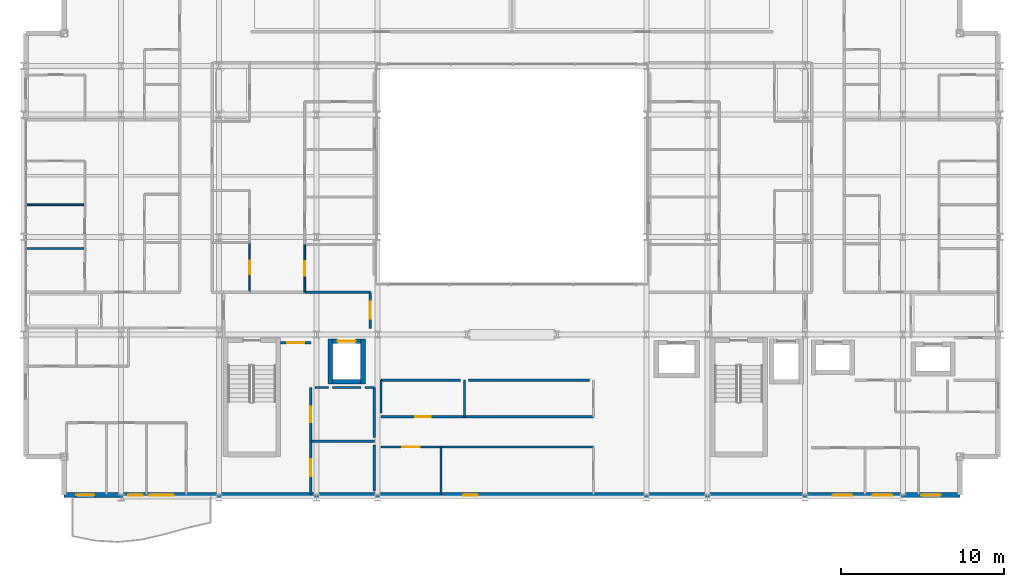
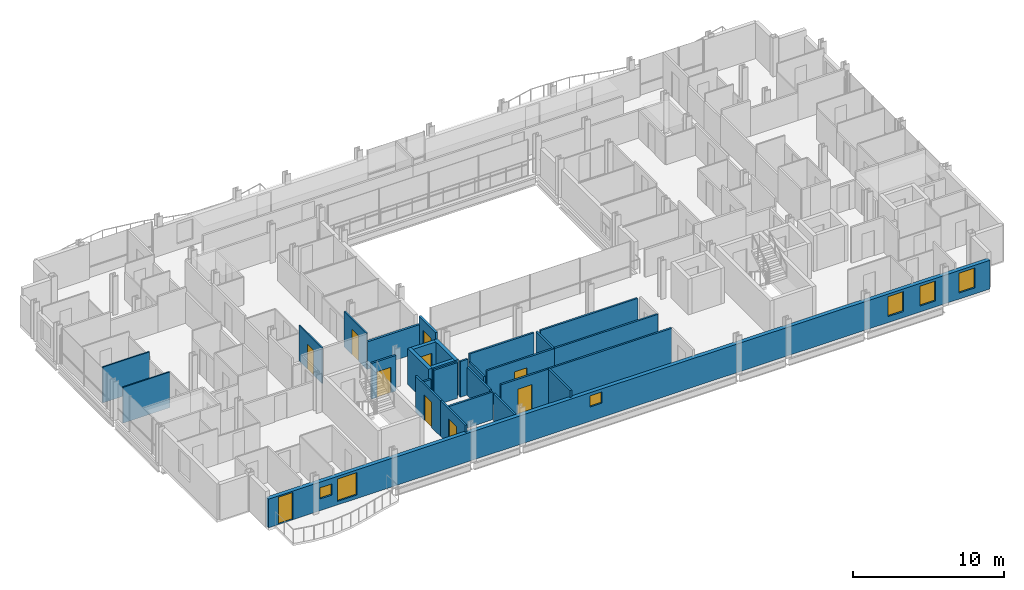
# One storey, part 32 of 41: 29 walls, 10 doors, 6 windows, 16 openings.
"""IFC4 building model written with IfcOpenShell, lengths in metres."""

import ifcopenshell
import ifcopenshell.guid

model = None  # the IFC model being written
_history = None  # IfcOwnerHistory: only IFC2X3 demands one
_inside = {}  # id of a spatial element -> (the spatial element, [elements in it])
_under = {}  # id of a project, library or spatial element -> (it, [spatial elements below it])
_declared = {}  # id of a project -> (the project, [libraries it declares])
_typed = {}  # id of a type object -> (the type object, [elements of that type])
_made_of = {}  # id of a material, layer set ... -> (it, [elements and type objects made of it])


def new_model(schema):
    """Start an empty IFC model of exactly this schema.

    Asked for "IFC4X3", IfcOpenShell would pick the latest addendum, in which some entities
    have other attributes; the version numbers below select the first issue.
    IFC2X3 requires an IfcOwnerHistory on every rooted entity: one is made here for all.
    """
    global model, _history
    if schema == "IFC4X3":
        model = ifcopenshell.file(schema_version=(4, 3, 0, 0))
    else:
        model = ifcopenshell.file(schema=schema)
    _inside.clear()
    _under.clear()
    _declared.clear()
    _typed.clear()
    _made_of.clear()
    _history = None
    if model.schema == "IFC2X3":
        org = make("IfcOrganization", Name="unknown")
        user = make(
            "IfcPersonAndOrganization",
            ThePerson=make("IfcPerson", FamilyName="unknown"),
            TheOrganization=org,
        )
        app = make(
            "IfcApplication",
            ApplicationDeveloper=org,
            Version="unknown",
            ApplicationFullName="unknown",
            ApplicationIdentifier="unknown",
        )
        _history = make(
            "IfcOwnerHistory",
            OwningUser=user,
            OwningApplication=app,
            ChangeAction="ADDED",
            CreationDate=0,
        )
    return model


def make(cls, **values):
    """One entity of the class cls with the attributes given. An attribute that is None is left unset."""
    return model.create_entity(
        cls, **{name: value for name, value in values.items() if value is not None}
    )


def rooted(cls, **values):
    """An entity with a GlobalId (a new one), such as an element, a storey or a relation."""
    return make(cls, GlobalId=ifcopenshell.guid.new(), OwnerHistory=_history, **values)


def si_unit(unit_type, name, prefix=None):
    """IfcSIUnit, for example si_unit("LENGTHUNIT", "METRE", prefix="MILLI")."""
    return make("IfcSIUnit", UnitType=unit_type, Prefix=prefix, Name=name)


def assignment(units):
    """IfcUnitAssignment: the units of a project."""
    return None if units is None else make("IfcUnitAssignment", Units=units)


def point(xyz):
    """IfcCartesianPoint."""
    return None if xyz is None else make("IfcCartesianPoint", Coordinates=xyz)


def direction(xyz):
    """IfcDirection."""
    return None if xyz is None else make("IfcDirection", DirectionRatios=xyz)


def frame(location, z_axis=None, x_axis=None):
    """IfcAxis2Placement3D, a coordinate frame: its origin and axes. An axis left out is left unset."""
    return make(
        "IfcAxis2Placement3D",
        Location=point(location),
        Axis=direction(z_axis),
        RefDirection=direction(x_axis),
    )


def frame_2d(location, x_axis=None):
    """IfcAxis2Placement2D, a coordinate frame in the plane: its origin and x axis."""
    return make(
        "IfcAxis2Placement2D", Location=point(location), RefDirection=direction(x_axis)
    )


def origin():
    """The frame at (0, 0, 0) with its axes left unset."""
    return frame((0.0, 0.0, 0.0))


def place(relative_to, where):
    """IfcLocalPlacement: puts the frame where relative to a parent placement (None: the world)."""
    return make(
        "IfcLocalPlacement", PlacementRelTo=relative_to, RelativePlacement=where
    )


def context(
    kind, dimensions, precision=None, world=None, true_north=None, identifier=None
):
    """IfcGeometricRepresentationContext, for example the 3D "Model" context."""
    return make(
        "IfcGeometricRepresentationContext",
        ContextIdentifier=identifier,
        ContextType=kind,
        CoordinateSpaceDimension=dimensions,
        Precision=precision,
        WorldCoordinateSystem=world,
        TrueNorth=true_north,
    )


def subcontext(parent, identifier, kind, view, scale=None):
    """IfcGeometricRepresentationSubContext, for example "Body" below "Model"."""
    return make(
        "IfcGeometricRepresentationSubContext",
        ContextIdentifier=identifier,
        ContextType=kind,
        ParentContext=parent,
        TargetScale=scale,
        TargetView=view,
    )


def project(units=None, contexts=None):
    """IfcProject with its units and contexts."""
    return rooted(
        "IfcProject",
        Name="project",
        RepresentationContexts=contexts,
        UnitsInContext=assignment(units),
    )


def spatial(cls, under=None, at=None, **own):
    """A site, building, storey or space (cls), placed at a placement, below another one or the project."""
    s = rooted(cls, ObjectPlacement=at, **own)
    if under is not None:
        _under.setdefault(under.id(), (under, []))[1].append(s)
    return s


def profile(cls, at=None, kind="AREA", **sizes):
    """A parametric profile (cls). Its sizes go by their IFC names, for example OverallWidth=200.0."""
    return make(cls, ProfileType=kind, Position=at, **sizes)


def rectangle(**sizes):
    """IfcRectangleProfileDef."""
    return profile("IfcRectangleProfileDef", **sizes)


def extrude(swept, where, along, depth):
    """IfcExtrudedAreaSolid: the profile swept, set in the frame where, extruded along a direction by depth."""
    return make(
        "IfcExtrudedAreaSolid",
        SweptArea=swept,
        Position=where,
        ExtrudedDirection=direction(along),
        Depth=depth,
    )


def shape(context_of_items, identifier, shape_type, items):
    """IfcShapeRepresentation: the items that make up one representation, for example the "Body"."""
    return make(
        "IfcShapeRepresentation",
        ContextOfItems=context_of_items,
        RepresentationIdentifier=identifier,
        RepresentationType=shape_type,
        Items=items,
    )


def material(Name=None, Category=None):
    """IfcMaterial."""
    return make("IfcMaterial", Name=Name, Category=Category)


def layer(
    of_material, thickness, ventilated=None, Name=None, Category=None, Priority=None
):
    """IfcMaterialLayer: one layer of a wall or slab, of a material (None: an air gap)."""
    return make(
        "IfcMaterialLayer",
        Material=of_material,
        LayerThickness=thickness,
        IsVentilated=ventilated,
        Name=Name,
        Category=Category,
        Priority=Priority,
    )


def layer_set(layers, Name=None):
    """IfcMaterialLayerSet."""
    return make("IfcMaterialLayerSet", MaterialLayers=layers, LayerSetName=Name)


def made_of(thing, what):
    """Note that an element or type object is made of a material, layer set ...; save() writes the relation."""
    if what is not None:
        _made_of.setdefault(what.id(), (what, []))[1].append(thing)
    return thing


def type_object(cls, material=None, **own):
    """A type object (cls), such as IfcWallType, which elements share."""
    return made_of(rooted(cls, **own), material)


def element(
    cls,
    number,
    at=None,
    inside=None,
    cuts=None,
    type_object=None,
    material=None,
    context=None,
    identifier="Body",
    shape_type=None,
    held_by="IfcProductDefinitionShape",
    body=None,
    shapes=None,
    **own,
):
    """One element of the class cls, such as IfcWall. Its Tag is "e" and its number.

    at: its placement. inside: the storey or other place that contains it. cuts: it is an
    opening in that element (IfcRelVoidsElement). A single representation is given by context,
    identifier, shape_type and body (its items); several are given by shapes. held_by: the class
    of the entity that holds the representations. save() writes the other relations.
    """
    e = rooted(cls, Tag="e%d" % number, ObjectPlacement=at, **own)
    if body is not None:
        shapes = [shape(context, identifier, shape_type, body)]
    if shapes is not None:
        e.Representation = make(held_by, Representations=shapes)
    if inside is not None:
        _inside.setdefault(inside.id(), (inside, []))[1].append(e)
    if cuts is not None:
        rooted(
            "IfcRelVoidsElement", RelatingBuildingElement=cuts, RelatedOpeningElement=e
        )
    if type_object is not None:
        _typed.setdefault(type_object.id(), (type_object, []))[1].append(e)
    return made_of(e, material)


def fill(opening, filler):
    """IfcRelFillsElement: the door or window that sits in an opening."""
    return rooted(
        "IfcRelFillsElement",
        RelatingOpeningElement=opening,
        RelatedBuildingElement=filler,
    )


def aggregate(whole, parts):
    """IfcRelAggregates: a whole, such as a stair, and the parts it consists of."""
    return rooted("IfcRelAggregates", RelatingObject=whole, RelatedObjects=parts)


def save(model, path):
    """Write the relations noted so far, then the file.

    IfcRelAggregates (storeys below a building ...), IfcRelContainedInSpatialStructure (elements
    in a storey), IfcRelDefinesByType, IfcRelAssociatesMaterial and IfcRelDeclares: one each for
    every whole, place, type object, material and project.
    """
    for whole, parts in _under.values():
        aggregate(whole, parts)
    for where, things in _inside.values():
        rooted(
            "IfcRelContainedInSpatialStructure",
            RelatedElements=things,
            RelatingStructure=where,
        )
    for kind, things in _typed.values():
        rooted("IfcRelDefinesByType", RelatedObjects=things, RelatingType=kind)
    for what, things in _made_of.values():
        rooted("IfcRelAssociatesMaterial", RelatedObjects=things, RelatingMaterial=what)
    for by, libraries in _declared.values():
        rooted("IfcRelDeclares", RelatingContext=by, RelatedDefinitions=libraries)
    model.write(path)


model = new_model("IFC4")

# Units and contexts
model_context = context("Model", 3, precision=1e-05, world=origin(), true_north=direction((0.0, 1.0)))
body_context = subcontext(model_context, "Body", "Model", "MODEL_VIEW")
ifc_project = project(units=[si_unit("LENGTHUNIT", "METRE"), si_unit("AREAUNIT", "SQUARE_METRE"), si_unit("VOLUMEUNIT", "CUBIC_METRE"), si_unit("PLANEANGLEUNIT", "RADIAN"), si_unit("MASSUNIT", "GRAM", prefix="KILO")], contexts=[model_context])

# Site, building, storey
site_placement = place(None, origin())
site = spatial("IfcSite", under=ifc_project, at=site_placement, CompositionType="ELEMENT")
building_placement = place(site_placement, origin())
building = spatial("IfcBuilding", under=site, at=building_placement, Name="Brevholm Reach", CompositionType="ELEMENT")
storey_placement = place(building_placement, frame((0.0, 0.0, 68.300048828125)))
storey = spatial("IfcBuildingStorey", under=building, at=storey_placement, Name="L19", CompositionType="ELEMENT", Elevation=68.300048828125)

# Walls
ifc_material_1 = material(Name="Concrete C50/60", Category="concrete")
ifc_layer_1 = layer(ifc_material_1, 0.280029296875)
ifc_layer_set_1 = layer_set([ifc_layer_1], Name="Concrete C50/60")
wall_type_1 = type_object("IfcWallType", Name="WAL-COR-280", PredefinedType="SHEAR", material=ifc_layer_set_1)
for number, where, z_axis, x_axis, name in (
    (1, (18.85009765625, 6.9599609375, 0.0), (0.0, 0.0, 1.0), (0.0, 1.0, 0.0), "L19 Lift FFL-1 Shaft Wall W"),
    (2, (20.85009765625, 6.9599609375, 0.0), (0.0, 0.0, 1.0), (0.0, 1.0, 0.0), "L19 Lift FFL-1 Shaft Wall E"),
):
    element("IfcWall", number, at=place(storey_placement, frame(where, z_axis=z_axis, x_axis=x_axis)), inside=storey, type_object=wall_type_1, Name=name, PredefinedType="SHEAR", context=body_context, shape_type="SweptSolid", body=[
        extrude(rectangle(XDim=2.780029296875, YDim=0.280029296875, at=frame_2d((1.39013671875, 0.0))), origin(), (0.0, 0.0, 1.0), 2.869873046875),
    ])
wall_1_placement = place(storey_placement, frame((18.989990234375, 7.10009765625, 0.0), z_axis=(0.0, 0.0, 1.0), x_axis=(1.0, 0.0, 0.0)))
element("IfcWall", 3, at=wall_1_placement, inside=storey, type_object=wall_type_1, Name="L19 Lift FFL-1 Shaft Wall S", PredefinedType="SHEAR", context=body_context, shape_type="SweptSolid", body=[
    extrude(rectangle(XDim=1.719970703125, YDim=0.280029296875, at=frame_2d((0.85986328125, 0.0))), origin(), (0.0, 0.0, 1.0), 2.869873046875),
])

# Wall, opening, door
wall_2_placement = place(storey_placement, frame((18.989990234375, 9.60009765625, 0.0), z_axis=(0.0, 0.0, 1.0), x_axis=(1.0, 0.0, 0.0)))
wall_2 = element("IfcWall", 4, at=wall_2_placement, inside=storey, type_object=wall_type_1, Name="L19 Lift FFL-1 Shaft Wall N", PredefinedType="SHEAR", context=body_context, shape_type="SweptSolid", body=[
    extrude(rectangle(XDim=1.719970703125, YDim=0.280029296875, at=frame_2d((0.85986328125, 0.0))), origin(), (0.0, 0.0, 1.0), 2.869873046875),
])
opening_1_placement = place(wall_2_placement, frame((0.31005859375, 0.0, 0.0)))
opening_1 = element("IfcOpeningElement", 5, at=opening_1_placement, cuts=wall_2, Name="Opening LD-FFL-1", PredefinedType="OPENING", context=body_context, shape_type="SweptSolid", body=[
    extrude(rectangle(XDim=1.10009765625, YDim=2.06005859375, at=frame_2d((0.550048828125, 1.030029296875))), frame((0.0, 0.14990234375, 0.0), z_axis=(0.0, -1.0, 0.0), x_axis=(1.0, 0.0, 0.0)), (0.0, 0.0, 1.0), 0.300048828125),
])
ifc_material_2 = material(Name="Brushed Stainless Steel Fire-Rated Sliding Lift Door", Category="steel")
door_type_1 = type_object("IfcDoorType", Name="DOR-LFT-1100", OperationType="NOTDEFINED", PredefinedType="DOOR", material=ifc_material_2)
door_1_placement = place(opening_1_placement, origin())
door_1 = element("IfcDoor", 6, at=door_1_placement, inside=storey, type_object=door_type_1, Name="L19 Lift FFL-1 Sliding Landing Door", OperationType="SLIDING_TO_LEFT", OverallHeight=2.06005859375, OverallWidth=1.10009765625, PredefinedType="DOOR", context=body_context, shape_type="SweptSolid", body=[
    extrude(rectangle(XDim=1.10009765625, YDim=2.06005859375, at=frame_2d((0.550048828125, 1.030029296875))), frame((0.0, 0.02490234375, 0.0), z_axis=(0.0, -1.0, 0.0), x_axis=(1.0, 0.0, 0.0)), (0.0, 0.0, 1.0), 0.050048828125),
])
fill(opening_1, door_1)

# Wall, openings, door, windows
ifc_material_3 = material(Name="Concrete C40/50", Category="concrete")
ifc_layer_2 = layer(ifc_material_3, 0.300048828125)
ifc_layer_set_2 = layer_set([ifc_layer_2], Name="Concrete C40/50")
wall_type_2 = type_object("IfcWallType", Name="WAL-EXT-300", PredefinedType="STANDARD", material=ifc_layer_set_2)
wall_3_placement = place(storey_placement, frame((2.5, 0.14990234375, 0.0), z_axis=(0.0, 0.0, 1.0), x_axis=(1.0, 0.0, 0.0)))
wall_3 = element("IfcWall", 7, at=wall_3_placement, inside=storey, type_object=wall_type_2, Name="L19 Facade Wall WAL-L19-S", PredefinedType="STANDARD", context=body_context, shape_type="SweptSolid", body=[
    extrude(rectangle(XDim=55.0, YDim=0.300048828125, at=frame_2d((27.5, 0.0))), origin(), (0.0, 0.0, 1.0), 2.305419921875),
])
opening_2_placement = place(wall_3_placement, frame((0.75, 0.0, 0.0)))
opening_2 = element("IfcOpeningElement", 8, at=opening_2_placement, cuts=wall_3, Name="Opening BD-01", PredefinedType="OPENING", context=body_context, shape_type="SweptSolid", body=[
    extrude(rectangle(XDim=1.10009765625, YDim=2.199951171875, at=frame_2d((0.550048828125, 1.10009765625))), frame((0.0, 0.159912109375, 0.0), z_axis=(0.0, -1.0, 0.0), x_axis=(1.0, 0.0, 0.0)), (0.0, 0.0, 1.0), 0.320068359375),
])
opening_3_placement = place(wall_3_placement, frame((5.22998046875, 0.0, 0.285888671875)))
opening_3 = element("IfcOpeningElement", 9, at=opening_3_placement, cuts=wall_3, Name="Opening WN-05", PredefinedType="OPENING", context=body_context, shape_type="SweptSolid", body=[
    extrude(rectangle(XDim=1.5, YDim=1.800048828125, at=frame_2d((0.75, 0.89990234375))), frame((0.0, 0.159912109375, 0.0), z_axis=(0.0, -1.0, 0.0), x_axis=(1.0, 0.0, 0.0)), (0.0, 0.0, 1.0), 0.320068359375),
])
opening_4_placement = place(wall_3_placement, frame((24.5, 0.0, 1.14990234375)))
opening_4 = element("IfcOpeningElement", 10, at=opening_4_placement, cuts=wall_3, Name="Opening WN-09", PredefinedType="OPENING", context=body_context, shape_type="SweptSolid", body=[
    extrude(rectangle(XDim=0.89990234375, YDim=0.89990234375, at=frame_2d((0.449951171875, 0.449951171875))), frame((0.0, 0.159912109375, 0.0), z_axis=(0.0, -1.0, 0.0), x_axis=(1.0, 0.0, 0.0)), (0.0, 0.0, 1.0), 0.320068359375),
])
opening_5_placement = place(wall_3_placement, frame((47.199951171875, 0.0, 0.486083984375)))
opening_5 = element("IfcOpeningElement", 11, at=opening_5_placement, cuts=wall_3, Name="Opening WN-08", PredefinedType="OPENING", context=body_context, shape_type="SweptSolid", body=[
    extrude(rectangle(XDim=1.199951171875, YDim=1.60009765625, at=frame_2d((0.60009765625, 0.800048828125))), frame((0.0, 0.159912109375, 0.0), z_axis=(0.0, -1.0, 0.0), x_axis=(1.0, 0.0, 0.0)), (0.0, 0.0, 1.0), 0.320068359375),
])
opening_6_placement = place(wall_3_placement, frame((52.6298828125, 0.0, 0.486083984375)))
opening_6 = element("IfcOpeningElement", 12, at=opening_6_placement, cuts=wall_3, Name="Opening WN-08", PredefinedType="OPENING", context=body_context, shape_type="SweptSolid", body=[
    extrude(rectangle(XDim=1.199951171875, YDim=1.60009765625, at=frame_2d((0.60009765625, 0.800048828125))), frame((0.0, 0.159912109375, 0.0), z_axis=(0.0, -1.0, 0.0), x_axis=(1.0, 0.0, 0.0)), (0.0, 0.0, 1.0), 0.320068359375),
])
opening_7_placement = place(wall_3_placement, frame((3.923828125, 0.0, 0.949951171875)))
opening_7 = element("IfcOpeningElement", 13, at=opening_7_placement, cuts=wall_3, Name="Opening WN-09", PredefinedType="OPENING", context=body_context, shape_type="SweptSolid", body=[
    extrude(rectangle(XDim=0.89990234375, YDim=0.89990234375, at=frame_2d((0.449951171875, 0.449951171875))), frame((0.0, 0.159912109375, 0.0), z_axis=(0.0, -1.0, 0.0), x_axis=(1.0, 0.0, 0.0)), (0.0, 0.0, 1.0), 0.320068359375),
])
opening_8_placement = place(wall_3_placement, frame((49.638671875, 0.0, 0.485595703125)))
opening_8 = element("IfcOpeningElement", 14, at=opening_8_placement, cuts=wall_3, Name="Opening WN-08", PredefinedType="OPENING", context=body_context, shape_type="SweptSolid", body=[
    extrude(rectangle(XDim=1.199951171875, YDim=1.60009765625, at=frame_2d((0.60009765625, 0.800048828125))), frame((0.0, 0.159912109375, 0.0), z_axis=(0.0, -1.0, 0.0), x_axis=(1.0, 0.0, 0.0)), (0.0, 0.0, 1.0), 0.320068359375),
])
ifc_material_4 = material(Name="Dark Anodised Aluminium and Triple-Glazed Glass", Category="aluminium")
door_type_2 = type_object("IfcDoorType", Name="DOR-BALC-1100", OperationType="NOTDEFINED", PredefinedType="DOOR", material=ifc_material_4)
door_2_placement = place(opening_2_placement, origin())
door_2 = element("IfcDoor", 15, at=door_2_placement, inside=storey, type_object=door_type_2, Name="L19 Exterior Door DOR-L19-BL-SW", OperationType="SINGLE_SWING_RIGHT", OverallHeight=2.199951171875, OverallWidth=1.10009765625, PredefinedType="DOOR", context=body_context, shape_type="SweptSolid", body=[
    extrude(rectangle(XDim=1.10009765625, YDim=2.199951171875, at=frame_2d((0.550048828125, 1.10009765625))), frame((0.0, 0.02490234375, 0.0), z_axis=(0.0, -1.0, 0.0), x_axis=(1.0, 0.0, 0.0)), (0.0, 0.0, 1.0), 0.050048828125),
])
fill(opening_2, door_2)
ifc_material_5 = material(Name="Dark Anodised Aluminium and Solar-Control IGU Glass", Category="aluminium")
window_type_1 = type_object("IfcWindowType", Name="WIN-POR-0900", PartitioningType="SINGLE_PANEL", PredefinedType="WINDOW", material=ifc_material_5)
window_1_placement = place(opening_4_placement, origin())
window_1 = element("IfcWindow", 16, at=window_1_placement, inside=storey, type_object=window_type_1, Name="L19 Window WIN-L19-S-POR", OverallHeight=0.89990234375, OverallWidth=0.89990234375, PartitioningType="SINGLE_PANEL", PredefinedType="WINDOW", context=body_context, shape_type="SweptSolid", body=[
    extrude(rectangle(XDim=0.89990234375, YDim=0.89990234375, at=frame_2d((0.449951171875, 0.449951171875))), frame((0.0, 0.030029296875, 0.0), z_axis=(0.0, -1.0, 0.0), x_axis=(1.0, 0.0, 0.0)), (0.0, 0.0, 1.0), 0.06005859375),
])
fill(opening_4, window_1)
window_2_placement = place(opening_7_placement, origin())
window_2 = element("IfcWindow", 17, at=window_2_placement, inside=storey, type_object=window_type_1, Name="L19 Bedroom Window 016", OverallHeight=0.89990234375, OverallWidth=0.89990234375, PartitioningType="SINGLE_PANEL", PredefinedType="WINDOW", context=body_context, shape_type="SweptSolid", body=[
    extrude(rectangle(XDim=0.89990234375, YDim=0.89990234375, at=frame_2d((0.449951171875, 0.449951171875))), frame((0.0, 0.030029296875, 0.0), z_axis=(0.0, -1.0, 0.0), x_axis=(1.0, 0.0, 0.0)), (0.0, 0.0, 1.0), 0.06005859375),
])
fill(opening_7, window_2)
ifc_material_6 = material(Name="Dark Anodised Aluminium and Solar-Control IGU Glass", Category="aluminium")
window_type_2 = type_object("IfcWindowType", Name="WIN-RES-1200", PartitioningType="SINGLE_PANEL", PredefinedType="WINDOW", material=ifc_material_6)
window_3_placement = place(opening_5_placement, origin())
window_3 = element("IfcWindow", 18, at=window_3_placement, inside=storey, type_object=window_type_2, Name="L19 Window WIN-L19-S-E1", OverallHeight=1.60009765625, OverallWidth=1.199951171875, PartitioningType="SINGLE_PANEL", PredefinedType="WINDOW", context=body_context, shape_type="SweptSolid", body=[
    extrude(rectangle(XDim=1.199951171875, YDim=1.60009765625, at=frame_2d((0.60009765625, 0.800048828125))), frame((0.0, 0.030029296875, 0.0), z_axis=(0.0, -1.0, 0.0), x_axis=(1.0, 0.0, 0.0)), (0.0, 0.0, 1.0), 0.06005859375),
])
fill(opening_5, window_3)
window_4_placement = place(opening_6_placement, origin())
window_4 = element("IfcWindow", 19, at=window_4_placement, inside=storey, type_object=window_type_2, Name="L19 Window WIN-L19-S-E2", OverallHeight=1.60009765625, OverallWidth=1.199951171875, PartitioningType="SINGLE_PANEL", PredefinedType="WINDOW", context=body_context, shape_type="SweptSolid", body=[
    extrude(rectangle(XDim=1.199951171875, YDim=1.60009765625, at=frame_2d((0.60009765625, 0.800048828125))), frame((0.0, 0.030029296875, 0.0), z_axis=(0.0, -1.0, 0.0), x_axis=(1.0, 0.0, 0.0)), (0.0, 0.0, 1.0), 0.06005859375),
])
fill(opening_6, window_4)
window_5_placement = place(opening_8_placement, origin())
window_5 = element("IfcWindow", 20, at=window_5_placement, inside=storey, type_object=window_type_2, Name="L19 Bedroom Window 017", OverallHeight=1.60009765625, OverallWidth=1.199951171875, PartitioningType="SINGLE_PANEL", PredefinedType="WINDOW", context=body_context, shape_type="SweptSolid", body=[
    extrude(rectangle(XDim=1.199951171875, YDim=1.60009765625, at=frame_2d((0.60009765625, 0.800048828125))), frame((0.0, 0.030029296875, 0.0), z_axis=(0.0, -1.0, 0.0), x_axis=(1.0, 0.0, 0.0)), (0.0, 0.0, 1.0), 0.06005859375),
])
fill(opening_8, window_5)
ifc_material_7 = material(Name="Dark Anodised Aluminium and Solar-Control IGU Glass", Category="aluminium")
window_type_3 = type_object("IfcWindowType", Name="WIN-RES-1500", PartitioningType="SINGLE_PANEL", PredefinedType="WINDOW", material=ifc_material_7)
window_6_placement = place(opening_3_placement, origin())
window_6 = element("IfcWindow", 21, at=window_6_placement, inside=storey, type_object=window_type_3, Name="L19 Window WIN-L19-S-W1", OverallHeight=1.800048828125, OverallWidth=1.5, PartitioningType="SINGLE_PANEL", PredefinedType="WINDOW", context=body_context, shape_type="SweptSolid", body=[
    extrude(rectangle(XDim=1.5, YDim=1.800048828125, at=frame_2d((0.75, 0.89990234375))), frame((0.0, 0.030029296875, 0.0), z_axis=(0.0, -1.0, 0.0), x_axis=(1.0, 0.0, 0.0)), (0.0, 0.0, 1.0), 0.06005859375),
])
fill(opening_3, window_6)

# Walls
ifc_material_8 = material(Name="Moisture-Resistant Acoustic Gypsum Stud Partition 100 mm", Category="gypsum")
ifc_layer_3 = layer(ifc_material_8, 0.10009765625)
ifc_layer_set_3 = layer_set([ifc_layer_3], Name="Moisture-Resistant Acoustic Gypsum Stud Partition 100 mm")
wall_type_3 = type_object("IfcWallType", Name="WAL-PRT-100", PredefinedType="PARTITIONING", material=ifc_layer_set_3)
for number, where, z_axis, x_axis, name in (
    (22, (0.199951171875, 15.284912109375, 0.0), (0.0, 0.0, 1.0), (1.0, 0.0, 0.0), "L19 Internal Partition 095"),
    (23, (0.199951171875, 17.969970703125, 0.0), (0.0, 0.0, 1.0), (1.0, 0.0, 0.0), "L19 Internal Partition 097"),
):
    element("IfcWall", number, at=place(storey_placement, frame(where, z_axis=z_axis, x_axis=x_axis)), inside=storey, type_object=wall_type_3, Name=name, PredefinedType="PARTITIONING", context=body_context, shape_type="SweptSolid", body=[
        extrude(rectangle(XDim=3.572021484375, YDim=0.10009765625, at=frame_2d((1.7861328125, 0.0))), origin(), (0.0, 0.0, 1.0), 2.869873046875),
    ])

# Wall, opening, door
wall_4_placement = place(storey_placement, frame((13.888916015625, 12.60400390625, 0.0), z_axis=(0.0, 0.0, 1.0), x_axis=(0.0, 1.0, 0.0)))
wall_4 = element("IfcWall", 24, at=wall_4_placement, inside=storey, type_object=wall_type_3, Name="L19 Internal Partition 111", PredefinedType="PARTITIONING", context=body_context, shape_type="SweptSolid", body=[
    extrude(rectangle(XDim=3.0458984375, YDim=0.10009765625, at=frame_2d((1.52294921875, 0.0))), origin(), (0.0, 0.0, 1.0), 2.869873046875),
])
opening_9_placement = place(wall_4_placement, frame((1.113037109375, 0.0, 0.0)))
opening_9 = element("IfcOpeningElement", 25, at=opening_9_placement, cuts=wall_4, Name="Opening ID-03", PredefinedType="OPENING", context=body_context, shape_type="SweptSolid", body=[
    extrude(rectangle(XDim=0.820068359375, YDim=2.02001953125, at=frame_2d((0.41015625, 1.010009765625))), frame((0.0, 0.06005859375, 0.0), z_axis=(0.0, -1.0, 0.0), x_axis=(1.0, 0.0, 0.0)), (0.0, 0.0, 1.0), 0.1201171875),
])
ifc_material_9 = material(Name="Moisture-Resistant Painted Timber Internal Bathroom Door", Category="wood")
door_type_3 = type_object("IfcDoorType", Name="DOR-BATH-820", OperationType="NOTDEFINED", PredefinedType="DOOR", material=ifc_material_9)
door_3_placement = place(opening_9_placement, origin())
door_3 = element("IfcDoor", 26, at=door_3_placement, inside=storey, type_object=door_type_3, Name="L19 Internal Door 041", OperationType="SINGLE_SWING_LEFT", OverallHeight=2.02001953125, OverallWidth=0.820068359375, PredefinedType="DOOR", context=body_context, shape_type="SweptSolid", body=[
    extrude(rectangle(XDim=0.820068359375, YDim=2.02001953125, at=frame_2d((0.41015625, 1.010009765625))), frame((0.0, 0.02490234375, 0.0), z_axis=(0.0, -1.0, 0.0), x_axis=(1.0, 0.0, 0.0)), (0.0, 0.0, 1.0), 0.050048828125),
])
fill(opening_9, door_3)

wall_5_placement = place(storey_placement, frame((17.27099609375, 12.60400390625, 0.0), z_axis=(0.0, 0.0, 1.0), x_axis=(0.0, 1.0, 0.0)))
wall_5 = element("IfcWall", 27, at=wall_5_placement, inside=storey, type_object=wall_type_3, Name="L19 Internal Partition 117", PredefinedType="PARTITIONING", context=body_context, shape_type="SweptSolid", body=[
    extrude(rectangle(XDim=2.9208984375, YDim=0.10009765625, at=frame_2d((1.46044921875, 0.0))), origin(), (0.0, 0.0, 1.0), 2.869873046875),
])
opening_10_placement = place(wall_5_placement, frame((1.0205078125, 0.0, 0.0)))
opening_10 = element("IfcOpeningElement", 28, at=opening_10_placement, cuts=wall_5, Name="Opening ID-01", PredefinedType="OPENING", context=body_context, shape_type="SweptSolid", body=[
    extrude(rectangle(XDim=0.8798828125, YDim=2.0400390625, at=frame_2d((0.43994140625, 1.02001953125))), frame((0.0, 0.06005859375, 0.0), z_axis=(0.0, -1.0, 0.0), x_axis=(1.0, 0.0, 0.0)), (0.0, 0.0, 1.0), 0.1201171875),
])
ifc_material_10 = material(Name="Lacquered Ash Solid-Core Acoustic Internal Door", Category="timber")
door_type_4 = type_object("IfcDoorType", Name="DOR-INT-880", OperationType="NOTDEFINED", PredefinedType="DOOR", material=ifc_material_10)
door_4_placement = place(opening_10_placement, origin())
door_4 = element("IfcDoor", 29, at=door_4_placement, inside=storey, type_object=door_type_4, Name="L19 Internal Door 044", OperationType="SINGLE_SWING_RIGHT", OverallHeight=2.0400390625, OverallWidth=0.8798828125, PredefinedType="DOOR", context=body_context, shape_type="SweptSolid", body=[
    extrude(rectangle(XDim=0.8798828125, YDim=2.0400390625, at=frame_2d((0.43994140625, 1.02001953125))), frame((0.0, 0.02490234375, 0.0), z_axis=(0.0, -1.0, 0.0), x_axis=(1.0, 0.0, 0.0)), (0.0, 0.0, 1.0), 0.050048828125),
])
fill(opening_10, door_4)

ifc_material_11 = material(Name="Twin-Stud Acoustic Fire-Rated Gypsum Partition 140 mm", Category="gypsum")
ifc_layer_4 = layer(ifc_material_11, 0.139892578125)
ifc_layer_set_4 = layer_set([ifc_layer_4], Name="Twin-Stud Acoustic Fire-Rated Gypsum Partition 140 mm")
wall_type_4 = type_object("IfcWallType", Name="WAL-PRT-140", PredefinedType="PARTITIONING", material=ifc_layer_set_4)
wall_6_placement = place(storey_placement, frame((21.949951171875, 3.10009765625, 0.0), z_axis=(0.0, 0.0, 1.0), x_axis=(1.0, 0.0, 0.0)))
wall_6 = element("IfcWall", 30, at=wall_6_placement, inside=storey, type_object=wall_type_4, Name="L19 Internal Partition 003", PredefinedType="PARTITIONING", context=body_context, shape_type="SweptSolid", body=[
    extrude(rectangle(XDim=3.701416015625, YDim=0.139892578125, at=frame_2d((1.8505859375, 0.0))), origin(), (0.0, 0.0, 1.0), 2.869873046875),
])
opening_11_placement = place(wall_6_placement, frame((1.32568359375, 0.0, 0.0)))
opening_11 = element("IfcOpeningElement", 31, at=opening_11_placement, cuts=wall_6, Name="Opening FD-01", PredefinedType="OPENING", context=body_context, shape_type="SweptSolid", body=[
    extrude(rectangle(XDim=1.050048828125, YDim=2.06005859375, at=frame_2d((0.52490234375, 1.030029296875))), frame((0.0, 0.079833984375, 0.0), z_axis=(0.0, -1.0, 0.0), x_axis=(1.0, 0.0, 0.0)), (0.0, 0.0, 1.0), 0.159912109375),
])
ifc_material_12 = material(Name="Hardwood-Lipped Steel-Core Fire and Smoke Door", Category="steel")
door_type_5 = type_object("IfcDoorType", Name="DOR-INT-FD60S", OperationType="NOTDEFINED", PredefinedType="DOOR", material=ifc_material_12)
door_5_placement = place(opening_11_placement, origin())
door_5 = element("IfcDoor", 32, at=door_5_placement, inside=storey, type_object=door_type_5, Name="L19 Internal Door 003", OperationType="SINGLE_SWING_LEFT", OverallHeight=2.06005859375, OverallWidth=1.050048828125, PredefinedType="DOOR", context=body_context, shape_type="SweptSolid", body=[
    extrude(rectangle(XDim=1.050048828125, YDim=2.06005859375, at=frame_2d((0.52490234375, 1.030029296875))), frame((0.0, 0.02490234375, 0.0), z_axis=(0.0, -1.0, 0.0), x_axis=(1.0, 0.0, 0.0)), (0.0, 0.0, 1.0), 0.050048828125),
])
fill(opening_11, door_5)

# Wall
wall_7_placement = place(storey_placement, frame((25.6328125, 3.10009765625, 0.0), z_axis=(0.0, 0.0, 1.0), x_axis=(1.0, 0.0, 0.0)))
element("IfcWall", 33, at=wall_7_placement, inside=storey, type_object=wall_type_4, Name="L19 Internal Partition 004", PredefinedType="PARTITIONING", context=body_context, shape_type="SweptSolid", body=[
    extrude(rectangle(XDim=9.36328125, YDim=0.139892578125, at=frame_2d((4.681640625, 0.0))), origin(), (0.0, 0.0, 1.0), 2.869873046875),
])

# Wall, opening, door
wall_8_placement = place(storey_placement, frame((21.949951171875, 4.949951171875, 0.0), z_axis=(0.0, 0.0, 1.0), x_axis=(1.0, 0.0, 0.0)))
wall_8 = element("IfcWall", 34, at=wall_8_placement, inside=storey, type_object=wall_type_4, Name="L19 Internal Partition 005", PredefinedType="PARTITIONING", context=body_context, shape_type="SweptSolid", body=[
    extrude(rectangle(XDim=5.1513671875, YDim=0.139892578125, at=frame_2d((2.57568359375, 0.0))), origin(), (0.0, 0.0, 1.0), 2.869873046875),
])
opening_12_placement = place(wall_8_placement, frame((2.1005859375, 0.0, 0.0)))
opening_12 = element("IfcOpeningElement", 35, at=opening_12_placement, cuts=wall_8, Name="Opening ID-30", PredefinedType="OPENING", context=body_context, shape_type="SweptSolid", body=[
    extrude(rectangle(XDim=0.949951171875, YDim=2.050048828125, at=frame_2d((0.47509765625, 1.02490234375))), frame((0.0, 0.079833984375, 0.0), z_axis=(0.0, -1.0, 0.0), x_axis=(1.0, 0.0, 0.0)), (0.0, 0.0, 1.0), 0.159912109375),
])
ifc_material_13 = material(Name="European Oak Veneered Solid-Core Fire Entrance Door", Category="timber")
door_type_6 = type_object("IfcDoorType", Name="DOR-FLT-FD30S", OperationType="NOTDEFINED", PredefinedType="DOOR", material=ifc_material_13)
door_6_placement = place(opening_12_placement, origin())
door_6 = element("IfcDoor", 36, at=door_6_placement, inside=storey, type_object=door_type_6, Name="L19 Internal Door 004", OperationType="SINGLE_SWING_RIGHT", OverallHeight=2.050048828125, OverallWidth=0.949951171875, PredefinedType="DOOR", context=body_context, shape_type="SweptSolid", body=[
    extrude(rectangle(XDim=0.949951171875, YDim=2.050048828125, at=frame_2d((0.47509765625, 1.02490234375))), frame((0.0, 0.02490234375, 0.0), z_axis=(0.0, -1.0, 0.0), x_axis=(1.0, 0.0, 0.0)), (0.0, 0.0, 1.0), 0.050048828125),
])
fill(opening_12, door_6)

# Walls
wall_9_placement = place(storey_placement, frame((27.082763671875, 4.949951171875, 0.0), z_axis=(0.0, 0.0, 1.0), x_axis=(1.0, 0.0, 0.0)))
element("IfcWall", 37, at=wall_9_placement, inside=storey, type_object=wall_type_4, Name="L19 Internal Partition 006", PredefinedType="PARTITIONING", context=body_context, shape_type="SweptSolid", body=[
    extrude(rectangle(XDim=7.913330078125, YDim=0.139892578125, at=frame_2d((3.95654296875, 0.0))), origin(), (0.0, 0.0, 1.0), 2.869873046875),
])
wall_10_placement = place(storey_placement, frame((25.639892578125, 0.179931640625, 0.0), z_axis=(0.0, 0.0, 1.0), x_axis=(0.0, 1.0, 0.0)))
element("IfcWall", 38, at=wall_10_placement, inside=storey, type_object=wall_type_4, Name="L19 Internal Partition 007", PredefinedType="PARTITIONING", context=body_context, shape_type="SweptSolid", body=[
    extrude(rectangle(XDim=2.916015625, YDim=0.139892578125, at=frame_2d((1.4580078125, 0.0))), origin(), (0.0, 0.0, 1.0), 2.869873046875),
])
wall_11_placement = place(storey_placement, frame((27.090087890625, 4.9541015625, 0.0), z_axis=(0.0, 0.0, 1.0), x_axis=(0.0, 1.0, 0.0)))
element("IfcWall", 39, at=wall_11_placement, inside=storey, type_object=wall_type_4, Name="L19 Internal Partition 008", PredefinedType="PARTITIONING", context=body_context, shape_type="SweptSolid", body=[
    extrude(rectangle(XDim=2.245849609375, YDim=0.139892578125, at=frame_2d((1.123046875, 0.0))), origin(), (0.0, 0.0, 1.0), 2.869873046875),
])

# Wall, opening, door
wall_12_placement = place(storey_placement, frame((17.64990234375, 0.179931640625, 0.0), z_axis=(0.0, 0.0, 1.0), x_axis=(0.0, 1.0, 0.0)))
wall_12 = element("IfcWall", 40, at=wall_12_placement, inside=storey, type_object=wall_type_4, Name="L19 Internal Partition 009", PredefinedType="PARTITIONING", context=body_context, shape_type="SweptSolid", body=[
    extrude(rectangle(XDim=3.28125, YDim=0.139892578125, at=frame_2d((1.640625, 0.0))), origin(), (0.0, 0.0, 1.0), 2.869873046875),
])
opening_13_placement = place(wall_12_placement, frame((1.11572265625, 0.0, 0.0)))
opening_13 = element("IfcOpeningElement", 41, at=opening_13_placement, cuts=wall_12, Name="Opening FD-01", PredefinedType="OPENING", context=body_context, shape_type="SweptSolid", body=[
    extrude(rectangle(XDim=1.050048828125, YDim=2.06005859375, at=frame_2d((0.52490234375, 1.030029296875))), frame((0.0, 0.079833984375, 0.0), z_axis=(0.0, -1.0, 0.0), x_axis=(1.0, 0.0, 0.0)), (0.0, 0.0, 1.0), 0.159912109375),
])
door_7_placement = place(opening_13_placement, origin())
door_7 = element("IfcDoor", 42, at=door_7_placement, inside=storey, type_object=door_type_5, Name="L19 Internal Door 005", OperationType="SINGLE_SWING_LEFT", OverallHeight=2.06005859375, OverallWidth=1.050048828125, PredefinedType="DOOR", context=body_context, shape_type="SweptSolid", body=[
    extrude(rectangle(XDim=1.050048828125, YDim=2.06005859375, at=frame_2d((0.52490234375, 1.030029296875))), frame((0.0, 0.02490234375, 0.0), z_axis=(0.0, -1.0, 0.0), x_axis=(1.0, 0.0, 0.0)), (0.0, 0.0, 1.0), 0.050048828125),
])
fill(opening_13, door_7)

wall_13_placement = place(storey_placement, frame((17.64990234375, 3.442626953125, 0.0), z_axis=(0.0, 0.0, 1.0), x_axis=(0.0, 1.0, 0.0)))
wall_13 = element("IfcWall", 43, at=wall_13_placement, inside=storey, type_object=wall_type_4, Name="L19 Internal Partition 010", PredefinedType="PARTITIONING", context=body_context, shape_type="SweptSolid", body=[
    extrude(rectangle(XDim=3.318603515625, YDim=0.139892578125, at=frame_2d((1.6591796875, 0.0))), origin(), (0.0, 0.0, 1.0), 2.869873046875),
])
opening_14_placement = place(wall_13_placement, frame((1.184326171875, 0.0, 0.0)))
opening_14 = element("IfcOpeningElement", 44, at=opening_14_placement, cuts=wall_13, Name="Opening ID-30", PredefinedType="OPENING", context=body_context, shape_type="SweptSolid", body=[
    extrude(rectangle(XDim=0.949951171875, YDim=2.050048828125, at=frame_2d((0.47509765625, 1.02490234375))), frame((0.0, 0.079833984375, 0.0), z_axis=(0.0, -1.0, 0.0), x_axis=(1.0, 0.0, 0.0)), (0.0, 0.0, 1.0), 0.159912109375),
])
door_8_placement = place(opening_14_placement, origin())
door_8 = element("IfcDoor", 45, at=door_8_placement, inside=storey, type_object=door_type_6, Name="L19 Internal Door 006", OperationType="SINGLE_SWING_RIGHT", OverallHeight=2.050048828125, OverallWidth=0.949951171875, PredefinedType="DOOR", context=body_context, shape_type="SweptSolid", body=[
    extrude(rectangle(XDim=0.949951171875, YDim=2.050048828125, at=frame_2d((0.47509765625, 1.02490234375))), frame((0.0, 0.02490234375, 0.0), z_axis=(0.0, -1.0, 0.0), x_axis=(1.0, 0.0, 0.0)), (0.0, 0.0, 1.0), 0.050048828125),
])
fill(opening_14, door_8)

# Walls
wall_14_placement = place(storey_placement, frame((17.654052734375, 3.449951171875, 0.0), z_axis=(0.0, 0.0, 1.0), x_axis=(1.0, 0.0, 0.0)))
element("IfcWall", 46, at=wall_14_placement, inside=storey, type_object=wall_type_4, Name="L19 Internal Partition 012", PredefinedType="PARTITIONING", context=body_context, shape_type="SweptSolid", body=[
    extrude(rectangle(XDim=3.89599609375, YDim=0.139892578125, at=frame_2d((1.947998046875, 0.0))), origin(), (0.0, 0.0, 1.0), 2.224853515625),
])
wall_15_placement = place(storey_placement, frame((21.949951171875, 7.199951171875, 0.0), z_axis=(0.0, 0.0, 1.0), x_axis=(1.0, 0.0, 0.0)))
element("IfcWall", 47, at=wall_15_placement, inside=storey, type_object=wall_type_4, Name="L19 Internal Partition 158", PredefinedType="PARTITIONING", context=body_context, shape_type="SweptSolid", body=[
    extrude(rectangle(XDim=4.900146484375, YDim=0.139892578125, at=frame_2d((2.4501953125, 0.0))), origin(), (0.0, 0.0, 1.0), 2.869873046875),
])
wall_16_placement = place(storey_placement, frame((21.949951171875, 5.18994140625, 0.0), z_axis=(0.0, 0.0, 1.0), x_axis=(0.0, 1.0, 0.0)))
element("IfcWall", 48, at=wall_16_placement, inside=storey, type_object=wall_type_4, Name="L19 Internal Partition 159", PredefinedType="PARTITIONING", context=body_context, shape_type="SweptSolid", body=[
    extrude(rectangle(XDim=2.010009765625, YDim=0.139892578125, at=frame_2d((1.0048828125, 0.0))), origin(), (0.0, 0.0, 1.0), 2.224853515625),
])
wall_17_placement = place(storey_placement, frame((27.330078125, 7.199951171875, 0.0), z_axis=(0.0, 0.0, 1.0), x_axis=(1.0, 0.0, 0.0)))
element("IfcWall", 49, at=wall_17_placement, inside=storey, type_object=wall_type_4, Name="L19 Internal Partition 160", PredefinedType="PARTITIONING", context=body_context, shape_type="SweptSolid", body=[
    extrude(rectangle(XDim=7.429931640625, YDim=0.139892578125, at=frame_2d((3.71484375, 0.0))), origin(), (0.0, 0.0, 1.0), 2.869873046875),
])
wall_18_placement = place(storey_placement, frame((21.550048828125, 0.389892578125, 0.0), z_axis=(0.0, 0.0, 1.0), x_axis=(0.0, 1.0, 0.0)))
element("IfcWall", 50, at=wall_18_placement, inside=storey, type_object=wall_type_4, Name="L19 Internal Partition 161", PredefinedType="PARTITIONING", context=body_context, shape_type="SweptSolid", body=[
    extrude(rectangle(XDim=2.820068359375, YDim=0.139892578125, at=frame_2d((1.41015625, 0.0))), origin(), (0.0, 0.0, 1.0), 2.224853515625),
])
wall_19_placement = place(storey_placement, frame((21.550048828125, 3.68994140625, 0.0), z_axis=(0.0, 0.0, 1.0), x_axis=(0.0, 1.0, 0.0)))
element("IfcWall", 51, at=wall_19_placement, inside=storey, type_object=wall_type_4, Name="L19 Internal Partition 162", PredefinedType="PARTITIONING", context=body_context, shape_type="SweptSolid", body=[
    extrude(rectangle(XDim=3.06005859375, YDim=0.139892578125, at=frame_2d((1.530029296875, 0.0))), origin(), (0.0, 0.0, 1.0), 2.224853515625),
])
wall_20_placement = place(storey_placement, frame((20.9658203125, 6.75, 0.0), z_axis=(0.0, 0.0, 1.0), x_axis=(1.0, 0.0, 0.0)))
element("IfcWall", 52, at=wall_20_placement, inside=storey, type_object=wall_type_4, Name="L19 Internal Partition 163", PredefinedType="PARTITIONING", context=body_context, shape_type="SweptSolid", body=[
    extrude(rectangle(XDim=0.584228515625, YDim=0.139892578125, at=frame_2d((0.2919921875, 0.0))), origin(), (0.0, 0.0, 1.0), 2.869873046875),
])
wall_21_placement = place(storey_placement, frame((18.9658203125, 6.75, 0.0), z_axis=(0.0, 0.0, 1.0), x_axis=(1.0, 0.0, 0.0)))
element("IfcWall", 53, at=wall_21_placement, inside=storey, type_object=wall_type_4, Name="L19 Internal Partition 164", PredefinedType="PARTITIONING", context=body_context, shape_type="SweptSolid", body=[
    extrude(rectangle(XDim=1.768310546875, YDim=0.139892578125, at=frame_2d((0.88427734375, 0.0))), origin(), (0.0, 0.0, 1.0), 2.869873046875),
])
wall_22_placement = place(storey_placement, frame((17.889892578125, 6.75, 0.0), z_axis=(0.0, 0.0, 1.0), x_axis=(1.0, 0.0, 0.0)))
element("IfcWall", 54, at=wall_22_placement, inside=storey, type_object=wall_type_4, Name="L19 Internal Partition 165", PredefinedType="PARTITIONING", context=body_context, shape_type="SweptSolid", body=[
    extrude(rectangle(XDim=0.84423828125, YDim=0.139892578125, at=frame_2d((0.422119140625, 0.0))), origin(), (0.0, 0.0, 1.0), 2.224853515625),
])

# Wall, opening, door
ifc_material_14 = material(Name="Twin-Frame Fire-Rated Gypsum Board and Mineral Wool 160 mm", Category="gypsum")
ifc_layer_5 = layer(ifc_material_14, 0.159912109375)
ifc_layer_set_5 = layer_set([ifc_layer_5], Name="Twin-Frame Fire-Rated Gypsum Board and Mineral Wool 160 mm")
wall_type_5 = type_object("IfcWallType", Name="WAL-PRT-160", PredefinedType="PARTITIONING", material=ifc_layer_set_5)
wall_23_placement = place(storey_placement, frame((15.800048828125, 9.5, 0.0), z_axis=(0.0, 0.0, 1.0), x_axis=(1.0, 0.0, 0.0)))
wall_23 = element("IfcWall", 55, at=wall_23_placement, inside=storey, type_object=wall_type_5, Name="L19 Internal Partition 011", PredefinedType="PARTITIONING", context=body_context, shape_type="SweptSolid", body=[
    extrude(rectangle(XDim=1.849853515625, YDim=0.159912109375, at=frame_2d((0.9248046875, 0.0))), origin(), (0.0, 0.0, 1.0), 2.869873046875),
])
opening_15_placement = place(wall_23_placement, frame((0.39990234375, 0.0, 0.0)))
opening_15 = element("IfcOpeningElement", 56, at=opening_15_placement, cuts=wall_23, Name="Opening FD-01", PredefinedType="OPENING", context=body_context, shape_type="SweptSolid", body=[
    extrude(rectangle(XDim=1.050048828125, YDim=2.06005859375, at=frame_2d((0.52490234375, 1.030029296875))), frame((0.0, 0.08984375, 0.0), z_axis=(0.0, -1.0, 0.0), x_axis=(1.0, 0.0, 0.0)), (0.0, 0.0, 1.0), 0.179931640625),
])
door_9_placement = place(opening_15_placement, origin())
door_9 = element("IfcDoor", 57, at=door_9_placement, inside=storey, type_object=door_type_5, Name="L19 Internal Door 007", OperationType="SINGLE_SWING_LEFT", OverallHeight=2.06005859375, OverallWidth=1.050048828125, PredefinedType="DOOR", context=body_context, shape_type="SweptSolid", body=[
    extrude(rectangle(XDim=1.050048828125, YDim=2.06005859375, at=frame_2d((0.52490234375, 1.030029296875))), frame((0.0, 0.02490234375, 0.0), z_axis=(0.0, -1.0, 0.0), x_axis=(1.0, 0.0, 0.0)), (0.0, 0.0, 1.0), 0.050048828125),
])
fill(opening_15, door_9)

wall_24_placement = place(storey_placement, frame((21.300048828125, 10.388671875, 0.0), z_axis=(0.0, 0.0, 1.0), x_axis=(0.0, 1.0, 0.0)))
wall_24 = element("IfcWall", 58, at=wall_24_placement, inside=storey, type_object=wall_type_5, Name="L19 Internal Partition 019", PredefinedType="PARTITIONING", context=body_context, shape_type="SweptSolid", body=[
    extrude(rectangle(XDim=2.21142578125, YDim=0.159912109375, at=frame_2d((1.105712890625, 0.0))), origin(), (0.0, 0.0, 1.0), 2.869873046875),
])
opening_16_placement = place(wall_24_placement, frame((0.58056640625, 0.0, 0.0)))
opening_16 = element("IfcOpeningElement", 59, at=opening_16_placement, cuts=wall_24, Name="Opening FD-01", PredefinedType="OPENING", context=body_context, shape_type="SweptSolid", body=[
    extrude(rectangle(XDim=1.050048828125, YDim=2.06005859375, at=frame_2d((0.52490234375, 1.030029296875))), frame((0.0, 0.08984375, 0.0), z_axis=(0.0, -1.0, 0.0), x_axis=(1.0, 0.0, 0.0)), (0.0, 0.0, 1.0), 0.179931640625),
])
door_10_placement = place(opening_16_placement, origin())
door_10 = element("IfcDoor", 60, at=door_10_placement, inside=storey, type_object=door_type_5, Name="L19 Internal Door 012", OperationType="SINGLE_SWING_RIGHT", OverallHeight=2.06005859375, OverallWidth=1.050048828125, PredefinedType="DOOR", context=body_context, shape_type="SweptSolid", body=[
    extrude(rectangle(XDim=1.050048828125, YDim=2.06005859375, at=frame_2d((0.52490234375, 1.030029296875))), frame((0.0, 0.02490234375, 0.0), z_axis=(0.0, -1.0, 0.0), x_axis=(1.0, 0.0, 0.0)), (0.0, 0.0, 1.0), 0.050048828125),
])
fill(opening_16, door_10)

# Wall
wall_25_placement = place(storey_placement, frame((17.259765625, 12.60009765625, 0.0), z_axis=(0.0, 0.0, 1.0), x_axis=(1.0, 0.0, 0.0)))
element("IfcWall", 61, at=wall_25_placement, inside=storey, type_object=wall_type_5, Name="L19 Internal Partition 022", PredefinedType="PARTITIONING", context=body_context, shape_type="SweptSolid", body=[
    extrude(rectangle(XDim=4.040283203125, YDim=0.159912109375, at=frame_2d((2.02001953125, 0.0))), origin(), (0.0, 0.0, 1.0), 2.224853515625),
])

save(model, "model.ifc")
